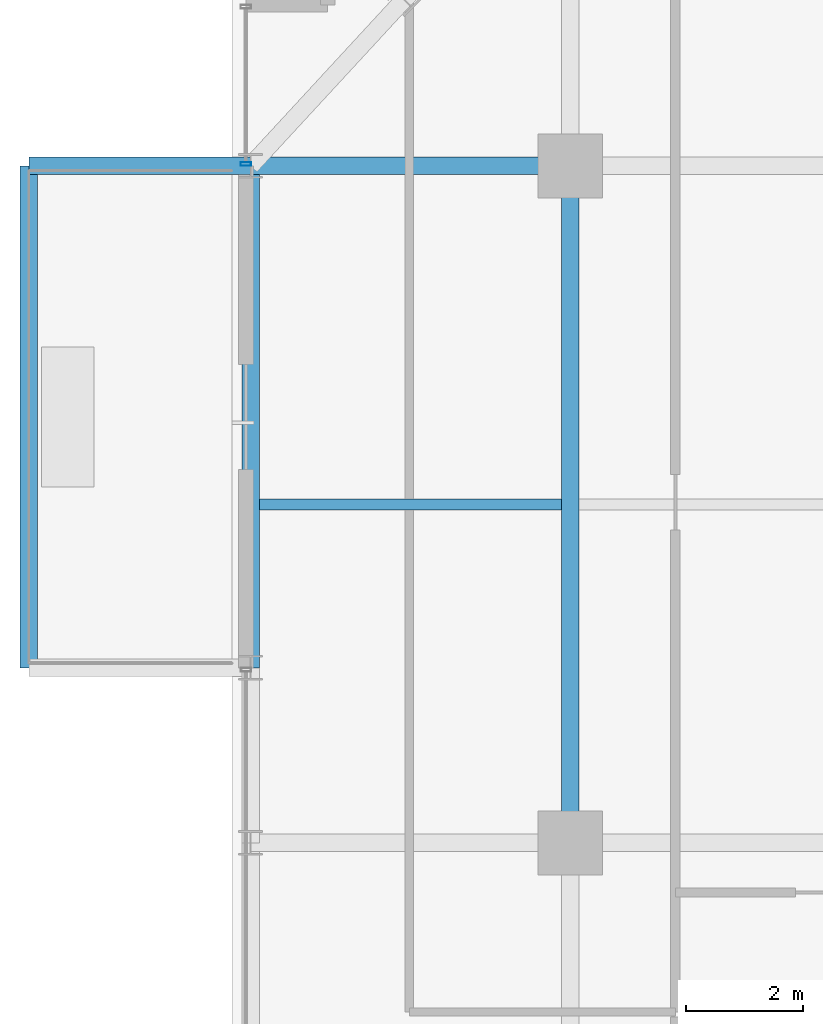
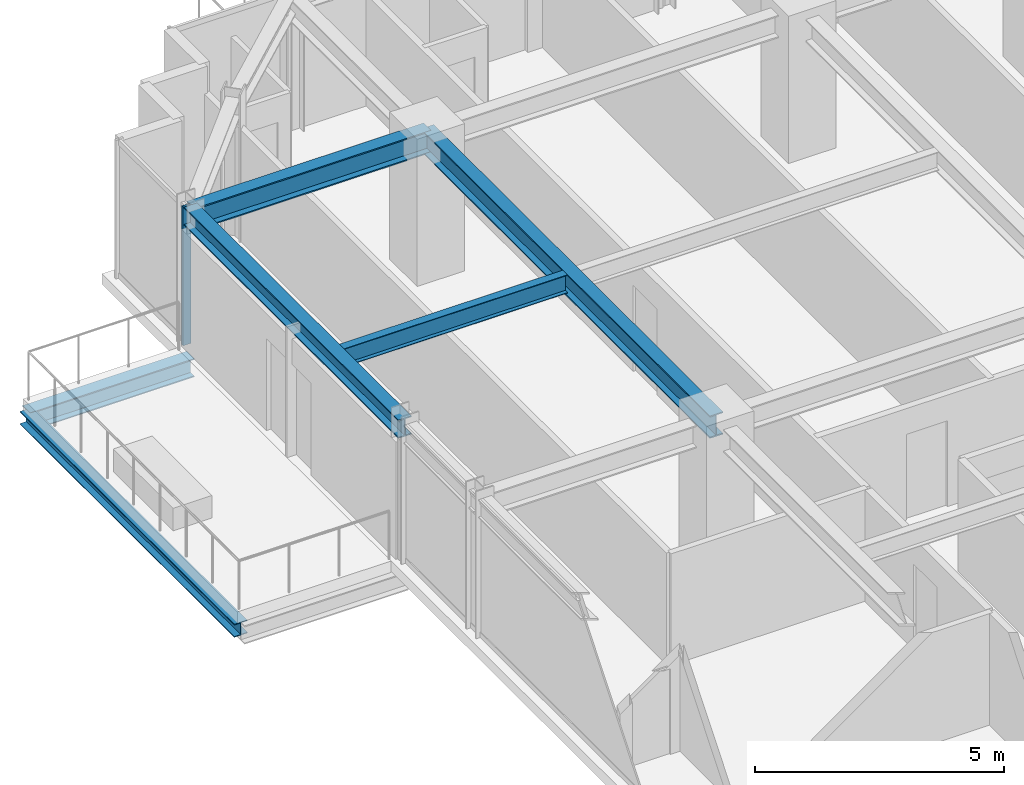
# One storey, part 15 of 32: 6 beams, 1 member, 1 element without a shape of its own.
"""IFC4 building model written with IfcOpenShell, lengths in metres."""

from ifc_helpers import new_model, si_unit, direction, frame, origin, origin_2d, place, context, subcontext, project, spatial, hollow_rectangle, i_section, extrude, source, transform, mapped, material, material_profile, profile_set, type_object, element, aggregate, save


model = new_model("IFC4")

# Units and contexts
model_context = context("Model", 3, precision=1e-05, world=origin(), true_north=direction((0.0, 1.0)))
body_context = subcontext(model_context, "Body", "Model", "MODEL_VIEW")
ifc_project = project(units=[si_unit("LENGTHUNIT", "METRE"), si_unit("AREAUNIT", "SQUARE_METRE"), si_unit("VOLUMEUNIT", "CUBIC_METRE"), si_unit("PLANEANGLEUNIT", "RADIAN"), si_unit("MASSUNIT", "GRAM", prefix="KILO")], contexts=[model_context])

# Site, building, storey
site_placement = place(None, origin())
site = spatial("IfcSite", under=ifc_project, at=site_placement, CompositionType="ELEMENT")
building_placement = place(site_placement, origin())
building = spatial("IfcBuilding", under=site, at=building_placement, Name="Nahalor Promenade Grand Hotel", CompositionType="ELEMENT")
storey_placement = place(building_placement, frame((0.0, 0.0, 152.64990234375)))
storey = spatial("IfcBuildingStorey", under=building, at=storey_placement, Name="L38", CompositionType="ELEMENT", Elevation=152.64990234375)

# Beams
ifc_material_1 = material(Name="Steel S355JR", Category="steel")
ifc_material_profile_1 = material_profile(ifc_material_1, i_section(OverallWidth=0.3, OverallDepth=0.32, WebThickness=0.0115, FlangeThickness=0.0205, at=origin_2d()), Name="HEB 320")
ifc_profile_set_1 = profile_set([ifc_material_profile_1], Name="Steel S355JR")
beam_type_1 = type_object("IfcBeamType", Name="Beam-BalcEdge-HEB320", PredefinedType="SPANDREL", material=ifc_profile_set_1)
shared_shape_1 = source(origin(), body_context, "Body", "SweptSolid", [
    extrude(i_section(OverallWidth=0.3, OverallDepth=0.32, WebThickness=0.0115, FlangeThickness=0.0205, at=origin_2d()), origin(), (0.0, 0.0, 1.0), 8.60009765625),
])
beam_1_placement = place(storey_placement, frame((-26.280029296875, 8.39990234375, -0.43994140625), z_axis=(0.0, 1.0, 0.0), x_axis=(-1.0, 0.0, 0.0)))
element("IfcBeam", 1, at=beam_1_placement, inside=storey, type_object=beam_type_1, Name="BM-L38-BC-02-F", PredefinedType="SPANDREL", context=body_context, shape_type="MappedRepresentation", body=[
    mapped(shared_shape_1, transform((0.0, 0.0, 0.0), scale=1.0)),
])
ifc_material_profile_2 = material_profile(ifc_material_1, i_section(OverallWidth=0.3, OverallDepth=0.45, WebThickness=0.014, FlangeThickness=0.026, at=origin_2d()), Name="HEB 450")
ifc_profile_set_2 = profile_set([ifc_material_profile_2], Name="Steel S355JR")
beam_type_2 = type_object("IfcBeamType", Name="Beam-Outrigger-HEB450", PredefinedType="BEAM", material=ifc_profile_set_2)
shared_shape_2 = source(origin(), body_context, "Body", "SweptSolid", [
    extrude(i_section(OverallWidth=0.3, OverallDepth=0.45, WebThickness=0.014, FlangeThickness=0.026, at=origin_2d()), origin(), (0.0, 0.0, 1.0), 3.800048828125),
])
beam_2_placement = place(storey_placement, frame((-26.280029296875, 17.0, -0.5048828125), z_axis=(1.0, 0.0, 0.0), x_axis=(0.0, 1.0, 0.0)))
element("IfcBeam", 2, at=beam_2_placement, inside=storey, type_object=beam_type_2, Name="BM-L38-BC-02-2", PredefinedType="BEAM", context=body_context, shape_type="MappedRepresentation", body=[
    mapped(shared_shape_2, transform((0.0, 0.0, 0.0), scale=1.0)),
])
ifc_material_profile_3 = material_profile(ifc_material_1, i_section(OverallWidth=0.3, OverallDepth=0.55, WebThickness=0.015, FlangeThickness=0.029, at=origin_2d()), Name="HEB 550")
ifc_profile_set_3 = profile_set([ifc_material_profile_3], Name="Steel S355JR")
beam_type_3 = type_object("IfcBeamType", Name="Beam-Girder-HEB550", PredefinedType="BEAM", material=ifc_profile_set_3)
shared_shape_3 = source(origin(), body_context, "Body", "SweptSolid", [
    extrude(i_section(OverallWidth=0.3, OverallDepth=0.55, WebThickness=0.015, FlangeThickness=0.029, at=origin_2d()), origin(), (0.0, 0.0, 1.0), 11.60009765625),
])
beam_3_placement = place(storey_placement, frame((-17.0, 5.39990234375, 3.114990234375), z_axis=(0.0, 1.0, 0.0), x_axis=(-1.0, 0.0, 0.0)))
element("IfcBeam", 3, at=beam_3_placement, inside=storey, type_object=beam_type_3, Name="BM-L38-GY-0-3", PredefinedType="BEAM", context=body_context, shape_type="MappedRepresentation", body=[
    mapped(shared_shape_3, transform((0.0, 0.0, 0.0), scale=1.0)),
])
shared_shape_4 = source(origin(), body_context, "Body", "SweptSolid", [
    extrude(i_section(OverallWidth=0.3, OverallDepth=0.55, WebThickness=0.015, FlangeThickness=0.029, at=origin_2d()), origin(), (0.0, 0.0, 1.0), 5.47998046875),
])
beam_4_placement = place(storey_placement, frame((-22.47998046875, 17.0, 3.114990234375), z_axis=(1.0, 0.0, 0.0), x_axis=(0.0, 1.0, 0.0)))
element("IfcBeam", 4, at=beam_4_placement, inside=storey, type_object=beam_type_3, Name="BM-L38-GX-3-0", PredefinedType="BEAM", context=body_context, shape_type="MappedRepresentation", body=[
    mapped(shared_shape_4, transform((0.0, 0.0, 0.0), scale=1.0)),
])
ifc_material_profile_4 = material_profile(ifc_material_1, i_section(OverallWidth=0.19, OverallDepth=0.45, WebThickness=0.0094, FlangeThickness=0.0146, at=origin_2d()), Name="IPE 450")
ifc_profile_set_4 = profile_set([ifc_material_profile_4], Name="Steel S355JR")
beam_type_4 = type_object("IfcBeamType", Name="Beam-Joist-IPE450", PredefinedType="JOIST", material=ifc_profile_set_4)
shared_shape_5 = source(origin(), body_context, "Body", "SweptSolid", [
    extrude(i_section(OverallWidth=0.19, OverallDepth=0.45, WebThickness=0.0094, FlangeThickness=0.0146, at=origin_2d()), origin(), (0.0, 0.0, 1.0), 5.18017578125),
])
beam_5_placement = place(storey_placement, frame((-22.330078125, 11.199951171875, 3.1650390625), z_axis=(1.0, 0.0, 0.0), x_axis=(0.0, 1.0, 0.0)))
element("IfcBeam", 5, at=beam_5_placement, inside=storey, type_object=beam_type_4, Name="BM-L38-JSW-1-0", PredefinedType="JOIST", context=body_context, shape_type="MappedRepresentation", body=[
    mapped(shared_shape_5, transform((0.0, 0.0, 0.0), scale=1.0)),
])
ifc_material_profile_5 = material_profile(ifc_material_1, i_section(OverallWidth=0.3, OverallDepth=0.45, WebThickness=0.014, FlangeThickness=0.026, at=origin_2d()), Name="HEB 450")
ifc_profile_set_5 = profile_set([ifc_material_profile_5], Name="Steel S355JR")
beam_type_5 = type_object("IfcBeamType", Name="Beam-Spandrel-HEB450", PredefinedType="SPANDREL", material=ifc_profile_set_5)
shared_shape_6 = source(origin(), body_context, "Body", "SweptSolid", [
    extrude(i_section(OverallWidth=0.3, OverallDepth=0.45, WebThickness=0.014, FlangeThickness=0.026, at=origin_2d()), origin(), (0.0, 0.0, 1.0), 8.60009765625),
])
beam_6_placement = place(storey_placement, frame((-22.47998046875, 8.39990234375, 3.1650390625), z_axis=(0.0, 1.0, 0.0), x_axis=(-1.0, 0.0, 0.0)))
element("IfcBeam", 6, at=beam_6_placement, inside=storey, type_object=beam_type_5, Name="BM-L38-SP-W-4", PredefinedType="SPANDREL", context=body_context, shape_type="MappedRepresentation", body=[
    mapped(shared_shape_6, transform((0.0, 0.0, 0.0), scale=1.0)),
])

# Curtain wall, member
ifc_material_2 = material(Name="Anodised Bronze Aluminium EN AW-6063 T6", Category="aluminium")
curtain_wall_type = type_object("IfcCurtainWallType", Name="CW2 Typical Hotel Flush Bronze Unitised Curtain Wall", PredefinedType="USERDEFINED", material=ifc_material_2)
curtain_wall_placement = place(storey_placement, origin())
curtain_wall = element("IfcCurtainWall", 7, at=curtain_wall_placement, inside=storey, type_object=curtain_wall_type, Name="L38 Curtain Wall CW-L38-W-3", ObjectType="UNITISED_CURTAIN_WALL", PredefinedType="USERDEFINED")
ifc_material_profile_6 = material_profile(ifc_material_2, hollow_rectangle(XDim=0.065, YDim=0.18, WallThickness=0.004, at=origin_2d()), Name="CWM 65x180x4")
ifc_profile_set_6 = profile_set([ifc_material_profile_6], Name="Anodised Bronze Aluminium EN AW-6063 T6")
member_type = type_object("IfcMemberType", Name="CWM2 Typical Bronze Mullion 65x180", PredefinedType="MULLION", material=ifc_profile_set_6)
shared_shape_7 = source(origin(), body_context, "Body", "SweptSolid", [
    extrude(hollow_rectangle(XDim=0.065, YDim=0.18, WallThickness=0.004, at=origin_2d()), origin(), (0.0, 0.0, 1.0), 3.39013671875),
])
member_placement = place(storey_placement, frame((-22.56005859375, 17.032470703125, 0.0), z_axis=(0.0, 0.0, 1.0), x_axis=(0.0, 1.0, 0.0)))
member = element("IfcMember", 8, at=member_placement, type_object=member_type, Name="CW-L38-W-3 Mullion 0", PredefinedType="MULLION", context=body_context, shape_type="MappedRepresentation", body=[
    mapped(shared_shape_7, transform((0.0, 0.0, 0.0), scale=1.0)),
])
aggregate(curtain_wall, [member])

save(model, "model.ifc")
